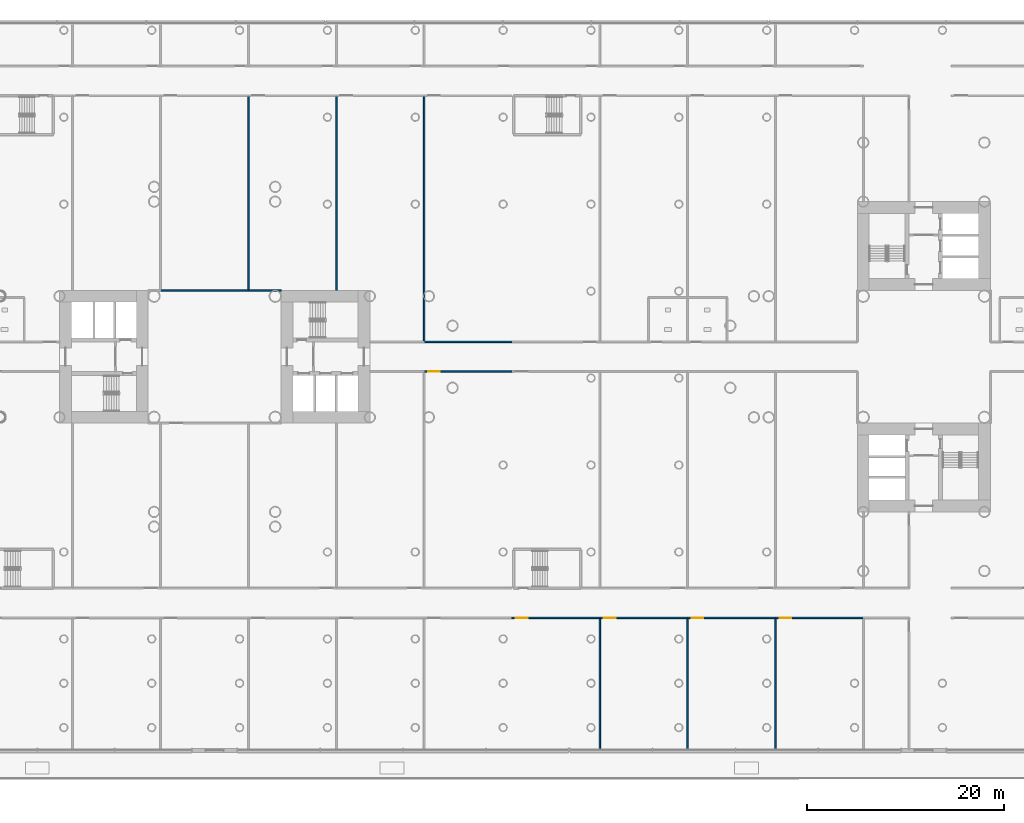
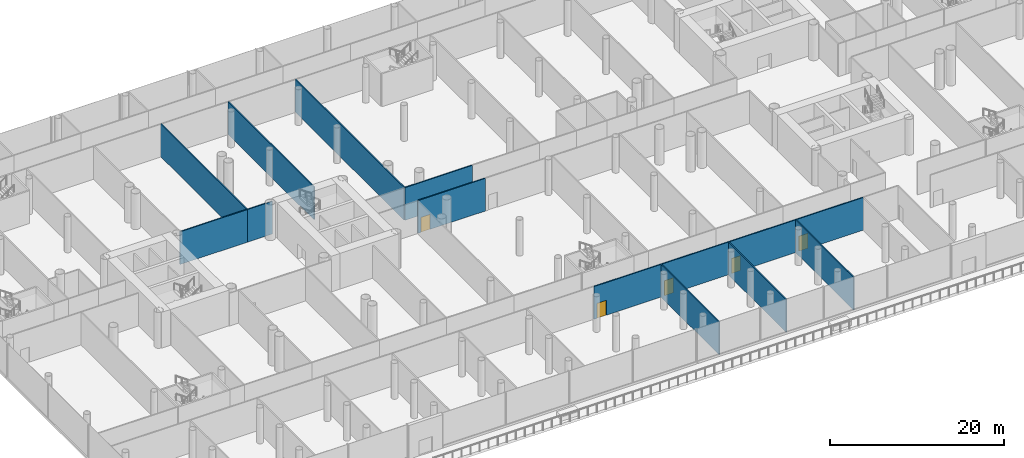
# One storey, part 19 of 59: 14 walls, 5 doors, 5 openings.
"""IFC4 building model written with IfcOpenShell, lengths in metres."""

from ifc_helpers import new_model, si_unit, direction, frame, frame_2d, origin, place, context, subcontext, project, spatial, rectangle, extrude, material, layer, layer_set, type_object, element, fill, save


model = new_model("IFC4")

# Units and contexts
model_context = context("Model", 3, precision=1e-05, world=origin(), true_north=direction((0.0, 1.0)))
body_context = subcontext(model_context, "Body", "Model", "MODEL_VIEW")
ifc_project = project(units=[si_unit("LENGTHUNIT", "METRE"), si_unit("AREAUNIT", "SQUARE_METRE"), si_unit("VOLUMEUNIT", "CUBIC_METRE"), si_unit("PLANEANGLEUNIT", "RADIAN"), si_unit("MASSUNIT", "GRAM", prefix="KILO")], contexts=[model_context])

# Site, building, storey
site_placement = place(None, origin())
site = spatial("IfcSite", under=ifc_project, at=site_placement, CompositionType="ELEMENT")
building_placement = place(site_placement, origin())
building = spatial("IfcBuilding", under=site, at=building_placement, Name="Ipe Terrace Towers", CompositionType="ELEMENT")
storey_placement = place(building_placement, frame((0.0, 0.0, 6.0)))
storey = spatial("IfcBuildingStorey", under=building, at=storey_placement, Name="L01", CompositionType="ELEMENT", Elevation=6.0)

# Walls
ifc_material_1 = material(Name="Gypsum board partition", Category="plasterboard")
ifc_layer = layer(ifc_material_1, 0.14990234375)
ifc_layer_set = layer_set([ifc_layer], Name="Gypsum board partition 150 mm")
wall_type = type_object("IfcWallType", Name="Gypsum board partition 150 mm", PredefinedType="PARTITIONING", material=ifc_layer_set)
wall_1_placement = place(storey_placement, frame((-32.570068359375, 6.75, 0.0), z_axis=(0.0, 0.0, 1.0), x_axis=(-1.0, 0.0, 0.0)))
element("IfcWall", 1, at=wall_1_placement, inside=storey, type_object=wall_type, Name="Gypsum board partition T1 L01 pd-r14-w37", PredefinedType="PARTITIONING", context=body_context, shape_type="SweptSolid", body=[
    extrude(rectangle(XDim=8.919921875, YDim=0.14990234375, at=frame_2d((4.4599609375, 0.0))), origin(), (0.0, 0.0, 1.0), 4.580078125),
])
wall_2_placement = place(storey_placement, frame((-32.570068359375, 26.5, 0.0), z_axis=(0.0, 0.0, 1.0), x_axis=(0.0, -1.0, 0.0)))
element("IfcWall", 2, at=wall_2_placement, inside=storey, type_object=wall_type, Name="Gypsum board partition T1 L01 pd-r14-r18-w38", PredefinedType="PARTITIONING", context=body_context, shape_type="SweptSolid", body=[
    extrude(rectangle(XDim=19.75, YDim=0.14990234375, at=frame_2d((9.875, 0.0))), origin(), (0.0, 0.0, 1.0), 4.580078125),
])
wall_3_placement = place(storey_placement, frame((-29.25, 6.75, 0.0), z_axis=(0.0, 0.0, 1.0), x_axis=(-1.0, 0.0, 0.0)))
element("IfcWall", 3, at=wall_3_placement, inside=storey, type_object=wall_type, Name="Gypsum board partition T1 L01 pd-r18-w46", PredefinedType="PARTITIONING", context=body_context, shape_type="SweptSolid", body=[
    extrude(rectangle(XDim=3.320068359375, YDim=0.14990234375, at=frame_2d((1.66015625, 0.0))), origin(), (0.0, 0.0, 1.0), 4.580078125),
])
wall_4_placement = place(storey_placement, frame((-23.64990234375, 26.5, 0.0), z_axis=(0.0, 0.0, 1.0), x_axis=(0.0, -1.0, 0.0)))
element("IfcWall", 4, at=wall_4_placement, inside=storey, type_object=wall_type, Name="Gypsum board partition T1 L01 pd-r18-r23-w48", PredefinedType="PARTITIONING", context=body_context, shape_type="SweptSolid", body=[
    extrude(rectangle(XDim=19.75, YDim=0.14990234375, at=frame_2d((9.875, 0.0))), origin(), (0.0, 0.0, 1.0), 4.580078125),
])
wall_5_placement = place(storey_placement, frame((-14.72998046875, 26.5, 0.0), z_axis=(0.0, 0.0, 1.0), x_axis=(0.0, -1.0, 0.0)))
element("IfcWall", 5, at=wall_5_placement, inside=storey, type_object=wall_type, Name="Gypsum board partition T1 L01 pd-r23-r26-w60", PredefinedType="PARTITIONING", context=body_context, shape_type="SweptSolid", body=[
    extrude(rectangle(XDim=25.0, YDim=0.14990234375, at=frame_2d((12.5, 0.0))), origin(), (0.0, 0.0, 1.0), 4.580078125),
])

# Wall, opening, door
wall_6_placement = place(storey_placement, frame((-14.72998046875, -1.5, 0.0), z_axis=(0.0, 0.0, 1.0), x_axis=(1.0, 0.0, 0.0)))
wall_6 = element("IfcWall", 6, at=wall_6_placement, inside=storey, type_object=wall_type, Name="Gypsum board partition T1 L01 pd-r25-w62", PredefinedType="PARTITIONING", context=body_context, shape_type="SweptSolid", body=[
    extrude(rectangle(XDim=8.919921875, YDim=0.14990234375, at=frame_2d((4.4599609375, 0.0))), origin(), (0.0, 0.0, 1.0), 4.580078125),
])
opening_1_placement = place(wall_6_placement, frame((0.39990234375, 0.0, 0.0)))
opening_1 = element("IfcOpeningElement", 7, at=opening_1_placement, cuts=wall_6, Name="Opening PD-L01-r25", PredefinedType="OPENING", context=body_context, shape_type="SweptSolid", body=[
    extrude(rectangle(XDim=1.199951171875, YDim=2.10009765625, at=frame_2d((0.60009765625, 1.050048828125))), frame((0.0, 0.0849609375, 0.0), z_axis=(0.0, -1.0, 0.0), x_axis=(1.0, 0.0, 0.0)), (0.0, 0.0, 1.0), 0.169921875),
])
ifc_material_2 = material(Name="Fire-rated timber door leaf", Category="wood")
door_type = type_object("IfcDoorType", Name="Lounge door 1200 x 2100 FD30S", OperationType="NOTDEFINED", PredefinedType="DOOR", material=ifc_material_2)
door_1_placement = place(opening_1_placement, origin())
door_1 = element("IfcDoor", 8, at=door_1_placement, inside=storey, type_object=door_type, Name="Lounge door PD-L01-r25", OperationType="SINGLE_SWING_RIGHT", OverallHeight=2.10009765625, OverallWidth=1.199951171875, PredefinedType="DOOR", context=body_context, shape_type="SweptSolid", body=[
    extrude(rectangle(XDim=1.199951171875, YDim=2.10009765625, at=frame_2d((0.60009765625, 1.050048828125))), frame((0.0, 0.02490234375, 0.0), z_axis=(0.0, -1.0, 0.0), x_axis=(1.0, 0.0, 0.0)), (0.0, 0.0, 1.0), 0.050048828125),
])
fill(opening_1, door_1)

# Wall
wall_7_placement = place(storey_placement, frame((-5.81005859375, 1.5, 0.0), z_axis=(0.0, 0.0, 1.0), x_axis=(-1.0, 0.0, 0.0)))
element("IfcWall", 9, at=wall_7_placement, inside=storey, type_object=wall_type, Name="Gypsum board partition T1 L01 pd-r26-w65", PredefinedType="PARTITIONING", context=body_context, shape_type="SweptSolid", body=[
    extrude(rectangle(XDim=8.919921875, YDim=0.14990234375, at=frame_2d((4.4599609375, 0.0))), origin(), (0.0, 0.0, 1.0), 4.580078125),
])

# Wall, opening, door
wall_8_placement = place(storey_placement, frame((-5.81005859375, -26.5, 0.0), z_axis=(0.0, 0.0, 1.0), x_axis=(1.0, 0.0, 0.0)))
wall_8 = element("IfcWall", 10, at=wall_8_placement, inside=storey, type_object=wall_type, Name="Gypsum board partition T2 L01 pd-r28-w0", PredefinedType="PARTITIONING", context=body_context, shape_type="SweptSolid", body=[
    extrude(rectangle(XDim=8.920166015625, YDim=0.14990234375, at=frame_2d((4.4599609375, 0.0))), origin(), (0.0, 0.0, 1.0), 4.580078125),
])
opening_2_placement = place(wall_8_placement, frame((0.39990234375, 0.0, 0.0)))
opening_2 = element("IfcOpeningElement", 11, at=opening_2_placement, cuts=wall_8, Name="Opening PD-L01-r28", PredefinedType="OPENING", context=body_context, shape_type="SweptSolid", body=[
    extrude(rectangle(XDim=1.199951171875, YDim=2.10009765625, at=frame_2d((0.60009765625, 1.050048828125))), frame((0.0, 0.0849609375, 0.0), z_axis=(0.0, -1.0, 0.0), x_axis=(1.0, 0.0, 0.0)), (0.0, 0.0, 1.0), 0.169921875),
])
door_2_placement = place(opening_2_placement, origin())
door_2 = element("IfcDoor", 12, at=door_2_placement, inside=storey, type_object=door_type, Name="Lounge door PD-L01-r28", OperationType="SINGLE_SWING_RIGHT", OverallHeight=2.10009765625, OverallWidth=1.199951171875, PredefinedType="DOOR", context=body_context, shape_type="SweptSolid", body=[
    extrude(rectangle(XDim=1.199951171875, YDim=2.10009765625, at=frame_2d((0.60009765625, 1.050048828125))), frame((0.0, 0.02490234375, 0.0), z_axis=(0.0, -1.0, 0.0), x_axis=(1.0, 0.0, 0.0)), (0.0, 0.0, 1.0), 0.050048828125),
])
fill(opening_2, door_2)

# Wall
wall_9_placement = place(storey_placement, frame((3.110107421875, -26.5, 0.0), z_axis=(0.0, 0.0, 1.0), x_axis=(0.0, -1.0, 0.0)))
element("IfcWall", 13, at=wall_9_placement, inside=storey, type_object=wall_type, Name="Gypsum board partition T2 L01 pd-r28-r33-w1", PredefinedType="PARTITIONING", context=body_context, shape_type="SweptSolid", body=[
    extrude(rectangle(XDim=13.35009765625, YDim=0.14990234375, at=frame_2d((6.675048828125, 0.0))), origin(), (0.0, 0.0, 1.0), 4.580078125),
])

# Wall, opening, door
wall_10_placement = place(storey_placement, frame((3.110107421875, -26.5, 0.0), z_axis=(0.0, 0.0, 1.0), x_axis=(1.0, 0.0, 0.0)))
wall_10 = element("IfcWall", 14, at=wall_10_placement, inside=storey, type_object=wall_type, Name="Gypsum board partition T2 L01 pd-r33-w13", PredefinedType="PARTITIONING", context=body_context, shape_type="SweptSolid", body=[
    extrude(rectangle(XDim=8.919921875, YDim=0.14990234375, at=frame_2d((4.4599609375, 0.0))), origin(), (0.0, 0.0, 1.0), 4.580078125),
])
opening_3_placement = place(wall_10_placement, frame((0.39990234375, 0.0, 0.0)))
opening_3 = element("IfcOpeningElement", 15, at=opening_3_placement, cuts=wall_10, Name="Opening PD-L01-r33", PredefinedType="OPENING", context=body_context, shape_type="SweptSolid", body=[
    extrude(rectangle(XDim=1.199951171875, YDim=2.10009765625, at=frame_2d((0.60009765625, 1.050048828125))), frame((0.0, 0.0849609375, 0.0), z_axis=(0.0, -1.0, 0.0), x_axis=(1.0, 0.0, 0.0)), (0.0, 0.0, 1.0), 0.169921875),
])
door_3_placement = place(opening_3_placement, origin())
door_3 = element("IfcDoor", 16, at=door_3_placement, inside=storey, type_object=door_type, Name="Lounge door PD-L01-r33", OperationType="SINGLE_SWING_RIGHT", OverallHeight=2.10009765625, OverallWidth=1.199951171875, PredefinedType="DOOR", context=body_context, shape_type="SweptSolid", body=[
    extrude(rectangle(XDim=1.199951171875, YDim=2.10009765625, at=frame_2d((0.60009765625, 1.050048828125))), frame((0.0, 0.02490234375, 0.0), z_axis=(0.0, -1.0, 0.0), x_axis=(1.0, 0.0, 0.0)), (0.0, 0.0, 1.0), 0.050048828125),
])
fill(opening_3, door_3)

# Wall
wall_11_placement = place(storey_placement, frame((12.030029296875, -26.5, 0.0), z_axis=(0.0, 0.0, 1.0), x_axis=(0.0, -1.0, 0.0)))
element("IfcWall", 17, at=wall_11_placement, inside=storey, type_object=wall_type, Name="Gypsum board partition T2 L01 pd-r33-r36-w14", PredefinedType="PARTITIONING", context=body_context, shape_type="SweptSolid", body=[
    extrude(rectangle(XDim=13.35009765625, YDim=0.14990234375, at=frame_2d((6.675048828125, 0.0))), origin(), (0.0, 0.0, 1.0), 4.580078125),
])

# Wall, opening, door
wall_12_placement = place(storey_placement, frame((12.030029296875, -26.5, 0.0), z_axis=(0.0, 0.0, 1.0), x_axis=(1.0, 0.0, 0.0)))
wall_12 = element("IfcWall", 18, at=wall_12_placement, inside=storey, type_object=wall_type, Name="Gypsum board partition T2 L01 pd-r36-w20", PredefinedType="PARTITIONING", context=body_context, shape_type="SweptSolid", body=[
    extrude(rectangle(XDim=8.919921875, YDim=0.14990234375, at=frame_2d((4.4599609375, 0.0))), origin(), (0.0, 0.0, 1.0), 4.580078125),
])
opening_4_placement = place(wall_12_placement, frame((0.39990234375, 0.0, 0.0)))
opening_4 = element("IfcOpeningElement", 19, at=opening_4_placement, cuts=wall_12, Name="Opening PD-L01-r36", PredefinedType="OPENING", context=body_context, shape_type="SweptSolid", body=[
    extrude(rectangle(XDim=1.199951171875, YDim=2.10009765625, at=frame_2d((0.60009765625, 1.050048828125))), frame((0.0, 0.0849609375, 0.0), z_axis=(0.0, -1.0, 0.0), x_axis=(1.0, 0.0, 0.0)), (0.0, 0.0, 1.0), 0.169921875),
])
door_4_placement = place(opening_4_placement, origin())
door_4 = element("IfcDoor", 20, at=door_4_placement, inside=storey, type_object=door_type, Name="Lounge door PD-L01-r36", OperationType="SINGLE_SWING_RIGHT", OverallHeight=2.10009765625, OverallWidth=1.199951171875, PredefinedType="DOOR", context=body_context, shape_type="SweptSolid", body=[
    extrude(rectangle(XDim=1.199951171875, YDim=2.10009765625, at=frame_2d((0.60009765625, 1.050048828125))), frame((0.0, 0.02490234375, 0.0), z_axis=(0.0, -1.0, 0.0), x_axis=(1.0, 0.0, 0.0)), (0.0, 0.0, 1.0), 0.050048828125),
])
fill(opening_4, door_4)

# Wall
wall_13_placement = place(storey_placement, frame((20.949951171875, -26.5, 0.0), z_axis=(0.0, 0.0, 1.0), x_axis=(0.0, -1.0, 0.0)))
element("IfcWall", 21, at=wall_13_placement, inside=storey, type_object=wall_type, Name="Gypsum board partition T2 L01 pd-r36-r42-w21", PredefinedType="PARTITIONING", context=body_context, shape_type="SweptSolid", body=[
    extrude(rectangle(XDim=13.35009765625, YDim=0.14990234375, at=frame_2d((6.675048828125, 0.0))), origin(), (0.0, 0.0, 1.0), 4.580078125),
])

# Wall, opening, door
wall_14_placement = place(storey_placement, frame((20.949951171875, -26.5, 0.0), z_axis=(0.0, 0.0, 1.0), x_axis=(1.0, 0.0, 0.0)))
wall_14 = element("IfcWall", 22, at=wall_14_placement, inside=storey, type_object=wall_type, Name="Gypsum board partition T2 L01 pd-r42-w38", PredefinedType="PARTITIONING", context=body_context, shape_type="SweptSolid", body=[
    extrude(rectangle(XDim=8.920166015625, YDim=0.14990234375, at=frame_2d((4.4599609375, 0.0))), origin(), (0.0, 0.0, 1.0), 4.580078125),
])
opening_5_placement = place(wall_14_placement, frame((0.39990234375, 0.0, 0.0)))
opening_5 = element("IfcOpeningElement", 23, at=opening_5_placement, cuts=wall_14, Name="Opening PD-L01-r42", PredefinedType="OPENING", context=body_context, shape_type="SweptSolid", body=[
    extrude(rectangle(XDim=1.199951171875, YDim=2.10009765625, at=frame_2d((0.60009765625, 1.050048828125))), frame((0.0, 0.0849609375, 0.0), z_axis=(0.0, -1.0, 0.0), x_axis=(1.0, 0.0, 0.0)), (0.0, 0.0, 1.0), 0.169921875),
])
door_5_placement = place(opening_5_placement, origin())
door_5 = element("IfcDoor", 24, at=door_5_placement, inside=storey, type_object=door_type, Name="Lounge door PD-L01-r42", OperationType="SINGLE_SWING_RIGHT", OverallHeight=2.10009765625, OverallWidth=1.199951171875, PredefinedType="DOOR", context=body_context, shape_type="SweptSolid", body=[
    extrude(rectangle(XDim=1.199951171875, YDim=2.10009765625, at=frame_2d((0.60009765625, 1.050048828125))), frame((0.0, 0.02490234375, 0.0), z_axis=(0.0, -1.0, 0.0), x_axis=(1.0, 0.0, 0.0)), (0.0, 0.0, 1.0), 0.050048828125),
])
fill(opening_5, door_5)

save(model, "model.ifc")
